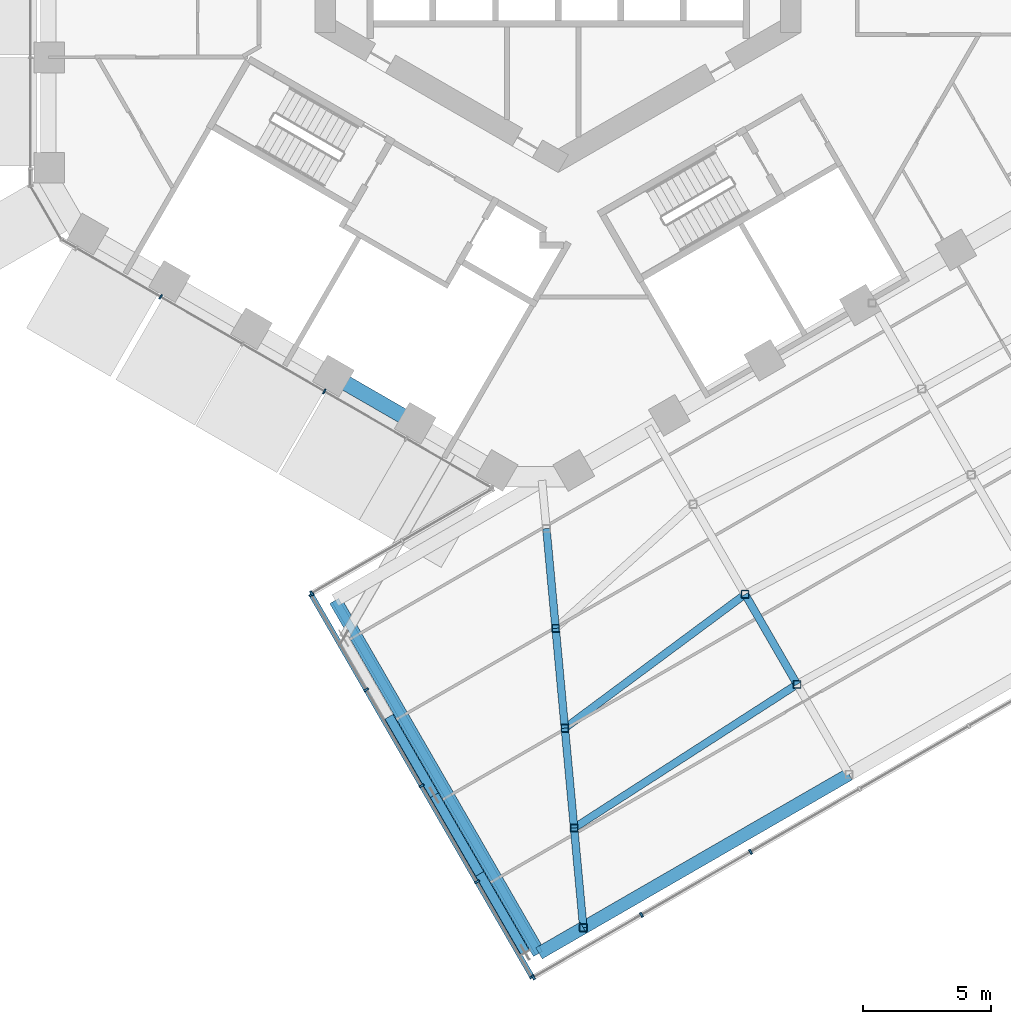
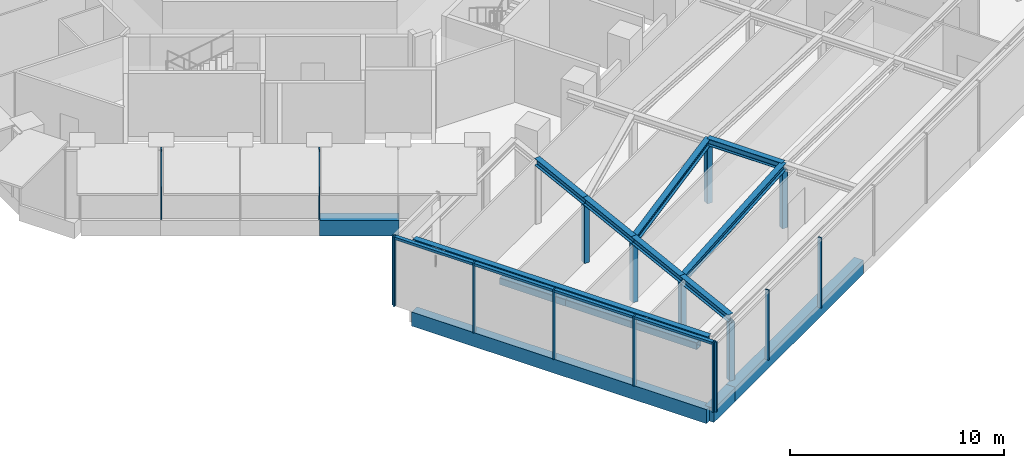
# One storey, part 2 of 28: 21 members, 12 beams, 4 elements without a shape of their own.
"""IFC4 building model written with IfcOpenShell, lengths in metres."""

from ifc_helpers import new_model, si_unit, direction, frame, origin, origin_2d, place, context, subcontext, project, spatial, rectangle, hollow_rectangle, i_section, extrude, material, layer, layer_set, material_profile, profile_set, type_object, element, aggregate, save


model = new_model("IFC4")

# Units and contexts
model_context = context("Model", 3, precision=1e-05, world=origin(), true_north=direction((0.0, 1.0)))
body_context = subcontext(model_context, "Body", "Model", "MODEL_VIEW")
ifc_project = project(units=[si_unit("LENGTHUNIT", "METRE"), si_unit("AREAUNIT", "SQUARE_METRE"), si_unit("VOLUMEUNIT", "CUBIC_METRE"), si_unit("PLANEANGLEUNIT", "RADIAN"), si_unit("MASSUNIT", "GRAM", prefix="KILO")], contexts=[model_context])

# Site, building, storey
site_placement = place(None, origin())
site = spatial("IfcSite", under=ifc_project, at=site_placement, CompositionType="ELEMENT")
building_placement = place(site_placement, origin())
building = spatial("IfcBuilding", under=site, at=building_placement, Name="Ayvan Gate Tower", CompositionType="ELEMENT")
storey_placement = place(building_placement, frame((0.0, 0.0, 74.300048828125)))
storey = spatial("IfcBuildingStorey", under=building, at=storey_placement, Name="L19", CompositionType="ELEMENT", Elevation=74.300048828125)

# Beams
ifc_material_1 = material(Name="Concrete C40/50", Category="concrete")
ifc_material_profile_1 = material_profile(ifc_material_1, rectangle(XDim=0.5, YDim=0.800048828125, at=origin_2d()), Name="RC 500x800")
ifc_profile_set_1 = profile_set([ifc_material_profile_1], Name="Concrete C40/50")
beam_type_1 = type_object("IfcBeamType", Name="Sky bar edge beam RC 500x800 C40/50", PredefinedType="BEAM", material=ifc_profile_set_1)
beam_1_placement = place(storey_placement, frame((11.377685546875, -34.506591796875, -0.800048828125), z_axis=(-0.866026010844, -0.49999894854, 0.0), x_axis=(0.49999894854, -0.866026010844, 0.0)))
element("IfcBeam", 1, at=beam_1_placement, inside=storey, type_object=beam_type_1, Name="EB-B1-L19-6", PredefinedType="BEAM", context=body_context, shape_type="SweptSolid", body=[
    extrude(rectangle(XDim=0.5, YDim=0.800048828125, at=origin_2d()), origin(), (0.0, 0.0, 1.0), 12.0),
])
beam_2_placement = place(storey_placement, frame((0.9853515625, -40.506591796875, -0.800048828125), z_axis=(-0.866041268327, -0.499972520799, 0.0), x_axis=(0.499972520799, -0.866041268327, 0.0)))
element("IfcBeam", 2, at=beam_2_placement, inside=storey, type_object=beam_type_1, Name="EB-B1-L19-7", PredefinedType="BEAM", context=body_context, shape_type="SweptSolid", body=[
    extrude(rectangle(XDim=0.5, YDim=0.800048828125, at=origin_2d()), origin(), (0.0, 0.0, 1.0), 2.0),
])
beam_3_placement = place(storey_placement, frame((-0.746826171875, -41.506591796875, -0.800048828125), z_axis=(-0.499993809181, 0.866028978026, 0.0), x_axis=(-0.866028978026, -0.499993809181, 0.0)))
element("IfcBeam", 3, at=beam_3_placement, inside=storey, type_object=beam_type_1, Name="EB-B1-L19-8", PredefinedType="BEAM", context=body_context, shape_type="SweptSolid", body=[
    extrude(rectangle(XDim=0.5, YDim=0.800048828125, at=origin_2d()), origin(), (0.0, 0.0, 1.0), 15.939697265625),
])
ifc_material_2 = material(Name="Steel S460ML", Category="steel")
ifc_material_profile_2 = material_profile(ifc_material_2, i_section(OverallWidth=0.300048828125, OverallDepth=0.39990234375, WebThickness=0.013427734375, FlangeThickness=0.02392578125, FilletRadius=0.027099609375, at=origin_2d()), Name="HE 400 B")
ifc_profile_set_2 = profile_set([ifc_material_profile_2], Name="Steel S460ML")
beam_type_2 = type_object("IfcBeamType", Name="Sky bar roof beam B1 HE 400 B", PredefinedType="BEAM", material=ifc_profile_set_2)
for number, where, z_axis, x_axis, name in (
    (4, (-0.458984375, -24.894287109375, 3.5), (0.092119300591, -0.995747977381, 0.0), (0.995747977381, 0.092119300591, 0.0), "RB-B1-SBT1-1-2"),
    (5, (-0.097900390625, -28.79736328125, 3.5), (0.092119300591, -0.995747977381, 0.0), (0.995747977381, 0.092119300591, 0.0), "RB-B1-SBT1-1-3"),
    (6, (0.26318359375, -32.700439453125, 3.5), (0.092119300591, -0.995747977381, 0.0), (0.995747977381, 0.092119300591, 0.0), "RB-B1-SBT1-1-4"),
    (7, (0.624267578125, -36.603515625, 3.5), (0.092119300591, -0.995747977381, 0.0), (0.995747977381, 0.092119300591, 0.0), "RB-B1-SBT1-1-5"),
):
    element("IfcBeam", number, at=place(storey_placement, frame(where, z_axis=z_axis, x_axis=x_axis)), inside=storey, type_object=beam_type_2, Name=name, PredefinedType="BEAM", context=body_context, shape_type="SweptSolid", body=[
        extrude(i_section(OverallWidth=0.300048828125, OverallDepth=0.39990234375, WebThickness=0.013427734375, FlangeThickness=0.02392578125, FilletRadius=0.027099609375, at=origin_2d()), origin(), (0.0, 0.0, 1.0), 3.919677734375),
    ])
beam_4_placement = place(storey_placement, frame((7.312744140625, -27.466064453125, 3.5), z_axis=(0.500008399602, -0.866020554218, 0.0), x_axis=(0.866020554218, 0.500008399602, 0.0)))
element("IfcBeam", 8, at=beam_4_placement, inside=storey, type_object=beam_type_2, Name="RB-B1-SBT1-2-3", PredefinedType="BEAM", context=body_context, shape_type="SweptSolid", body=[
    extrude(i_section(OverallWidth=0.300048828125, OverallDepth=0.39990234375, WebThickness=0.013427734375, FlangeThickness=0.02392578125, FilletRadius=0.027099609375, at=origin_2d()), origin(), (0.0, 0.0, 1.0), 4.06494140625),
])
beam_5_placement = place(storey_placement, frame((0.624267578125, -36.603515625, 3.5), z_axis=(0.840701751822, 0.541498443658, 0.0), x_axis=(-0.541498443658, 0.840701751822, 0.0)))
element("IfcBeam", 9, at=beam_5_placement, inside=storey, type_object=beam_type_2, Name="RX-B1-12-2", PredefinedType="BEAM", context=body_context, shape_type="SweptSolid", body=[
    extrude(i_section(OverallWidth=0.300048828125, OverallDepth=0.39990234375, WebThickness=0.013427734375, FlangeThickness=0.02392578125, FilletRadius=0.027099609375, at=origin_2d()), origin(), (0.0, 0.0, 1.0), 10.37353515625),
])
beam_6_placement = place(storey_placement, frame((0.26318359375, -32.700439453125, 3.5), z_axis=(0.802876930473, 0.59614481002, 0.0), x_axis=(-0.59614481002, 0.802876930473, 0.0)))
element("IfcBeam", 10, at=beam_6_placement, inside=storey, type_object=beam_type_2, Name="RX-B1-12-3", PredefinedType="BEAM", context=body_context, shape_type="SweptSolid", body=[
    extrude(i_section(OverallWidth=0.300048828125, OverallDepth=0.39990234375, WebThickness=0.013427734375, FlangeThickness=0.02392578125, FilletRadius=0.027099609375, at=origin_2d()), origin(), (0.0, 0.0, 1.0), 8.7802734375),
])
ifc_material_profile_3 = material_profile(ifc_material_2, i_section(OverallWidth=0.300048828125, OverallDepth=0.340087890625, WebThickness=0.011962890625, FlangeThickness=0.021484375, FilletRadius=0.027099609375, at=origin_2d()), Name="HE 340 B")
ifc_profile_set_3 = profile_set([ifc_material_profile_3], Name="Steel S460ML")
beam_type_3 = type_object("IfcBeamType", Name="Sky bar roof edge beam B1 HE 340 B", PredefinedType="BEAM", material=ifc_profile_set_3)
beam_7_placement = place(storey_placement, frame((-0.746826171875, -41.506591796875, 3.530029296875), z_axis=(-0.499993809181, 0.866028978026, 0.0), x_axis=(-0.866028978026, -0.499993809181, 0.0)))
element("IfcBeam", 11, at=beam_7_placement, inside=storey, type_object=beam_type_3, Name="RE-B1-1-2", PredefinedType="BEAM", context=body_context, shape_type="SweptSolid", body=[
    extrude(i_section(OverallWidth=0.300048828125, OverallDepth=0.340087890625, WebThickness=0.011962890625, FlangeThickness=0.021484375, FilletRadius=0.027099609375, at=origin_2d()), origin(), (0.0, 0.0, 1.0), 15.939697265625),
])

# Members
ifc_material_3 = material(Name="Steel S460NH", Category="steel")
ifc_material_profile_4 = material_profile(ifc_material_3, hollow_rectangle(XDim=0.300048828125, YDim=0.300048828125, WallThickness=0.01611328125, InnerFilletRadius=0.01611328125, OuterFilletRadius=0.02392578125, at=origin_2d()), Name="RHS 300x300x16")
ifc_profile_set_4 = profile_set([ifc_material_profile_4], Name="Steel S460NH")
member_type_1 = type_object("IfcMemberType", Name="Sky bar roof post B1 RHS 300x300x16", PredefinedType="POST", material=ifc_profile_set_4)
for number, where, z_axis, x_axis, name in (
    (12, (-0.097900390625, -28.79736328125, 0.0), (0.0, 0.0, 1.0), (1.0, 0.0, 0.0), "RP-B1-SBT1-1-2"),
    (13, (0.26318359375, -32.700439453125, 0.0), (0.0, 0.0, 1.0), (1.0, 0.0, 0.0), "RP-B1-SBT1-1-3"),
    (14, (0.624267578125, -36.603515625, 0.0), (0.0, 0.0, 1.0), (1.0, 0.0, 0.0), "RP-B1-SBT1-1-4"),
    (15, (0.9853515625, -40.506591796875, 0.0), (0.0, 0.0, 1.0), (1.0, 0.0, 0.0), "RP-B1-SBT1-1-5"),
    (16, (7.312744140625, -27.466064453125, 0.0), (0.0, 0.0, 1.0), (1.0, 0.0, 0.0), "RP-B1-SBT1-2-2"),
    (17, (9.34521484375, -30.986328125, 0.0), (0.0, 0.0, 1.0), (1.0, 0.0, 0.0), "RP-B1-SBT1-2-3"),
):
    element("IfcMember", number, at=place(storey_placement, frame(where, z_axis=z_axis, x_axis=x_axis)), inside=storey, type_object=member_type_1, Name=name, PredefinedType="POST", context=body_context, shape_type="SweptSolid", body=[
        extrude(hollow_rectangle(XDim=0.300048828125, YDim=0.300048828125, WallThickness=0.01611328125, InnerFilletRadius=0.01611328125, OuterFilletRadius=0.02392578125, at=origin_2d()), origin(), (0.0, 0.0, 1.0), 3.300048828125),
    ])
ifc_material_profile_5 = material_profile(ifc_material_3, hollow_rectangle(XDim=0.39990234375, YDim=0.39990234375, WallThickness=0.02001953125, InnerFilletRadius=0.02001953125, OuterFilletRadius=0.030029296875, at=origin_2d()), Name="RHS 400x400x20")
ifc_profile_set_5 = profile_set([ifc_material_profile_5], Name="Steel S460NH")
member_type_2 = type_object("IfcMemberType", Name="Sky bar truss brace B1 RHS 400x400x20", PredefinedType="BRACE", material=ifc_profile_set_5)
member_1_placement = place(storey_placement, frame((-6.61572265625, -32.251220703125, 3.349853515625), z_axis=(0.500000279077, -0.866025242659, 0.0), x_axis=(0.866025242659, 0.500000279077, 0.0)))
element("IfcMember", 18, at=member_1_placement, inside=storey, type_object=member_type_2, Name="SBX1-B-TC-3", PredefinedType="CHORD", context=body_context, shape_type="SweptSolid", body=[
    extrude(hollow_rectangle(XDim=0.39990234375, YDim=0.39990234375, WallThickness=0.02001953125, InnerFilletRadius=0.02001953125, OuterFilletRadius=0.030029296875, at=origin_2d()), origin(), (0.0, 0.0, 1.0), 3.5498046875),
])
for number, where, z_axis, x_axis, name in (
    (19, (-4.8408203125, -35.325439453125, 3.349853515625), (0.500022077904, -0.866012656725, 0.0), (0.866012656725, 0.500022077904, 0.0), "SBX1-B-TC-4"),
    (20, (-3.065673828125, -38.39990234375, 3.349853515625), (0.499970499736, -0.8660424351, 0.0), (0.8660424351, 0.499970499736, 0.0), "SBX1-B-TC-5"),
):
    element("IfcMember", number, at=place(storey_placement, frame(where, z_axis=z_axis, x_axis=x_axis)), inside=storey, type_object=member_type_2, Name=name, PredefinedType="CHORD", context=body_context, shape_type="SweptSolid", body=[
        extrude(hollow_rectangle(XDim=0.39990234375, YDim=0.39990234375, WallThickness=0.02001953125, InnerFilletRadius=0.02001953125, OuterFilletRadius=0.030029296875, at=origin_2d()), origin(), (0.0, 0.0, 1.0), 3.550048828125),
    ])

# Beam
ifc_material_profile_6 = material_profile(ifc_material_1, rectangle(XDim=0.60009765625, YDim=0.89990234375, at=origin_2d()), Name="RC 600x900")
ifc_profile_set_6 = profile_set([ifc_material_profile_6], Name="Concrete C40/50")
beam_type_4 = type_object("IfcBeamType", Name="Spandrel beam RC 600x900 C40/50", PredefinedType="BEAM", material=ifc_profile_set_6)
beam_8_placement = place(storey_placement, frame((-8.78125, -18.93017578125, -0.85009765625), z_axis=(0.866021677438, -0.500006454166, 0.0), x_axis=(0.500006454166, 0.866021677438, 0.0)))
element("IfcBeam", 21, at=beam_8_placement, inside=storey, type_object=beam_type_4, Name="SB-L19-28", PredefinedType="BEAM", context=body_context, shape_type="SweptSolid", body=[
    extrude(rectangle(XDim=0.60009765625, YDim=0.89990234375, at=origin_2d()), origin(), (0.0, 0.0, 1.0), 3.720703125),
])

# Curtain wall, members
ifc_material_4 = material(Name="Bronze anodised aluminium", Category="aluminium")
ifc_layer_1 = layer(ifc_material_4, 0.199951171875)
ifc_layer_set_1 = layer_set([ifc_layer_1], Name="Bronze anodised aluminium")
curtain_wall_type_1 = type_object("IfcCurtainWallType", Name="Stick curtain wall CW-1", PredefinedType="NOTDEFINED", material=ifc_layer_set_1)
curtain_wall_1_placement = place(storey_placement, origin())
curtain_wall_1 = element("IfcCurtainWall", 22, at=curtain_wall_1_placement, inside=storey, type_object=curtain_wall_type_1, Name="Stick curtain wall CW-1 L19", PredefinedType="NOTDEFINED")
ifc_material_profile_7 = material_profile(ifc_material_4, rectangle(XDim=0.199951171875, YDim=0.06005859375, at=origin_2d()), Name="Stick curtain wall CW-1 mullion 200 x 60")
ifc_profile_set_7 = profile_set([ifc_material_profile_7], Name="Bronze anodised aluminium")
member_type_3 = type_object("IfcMemberType", Name="Stick curtain wall CW-1 mullion 200 x 60", PredefinedType="MULLION", material=ifc_profile_set_7)
member_2_placement = place(storey_placement, frame((-15.545654296875, -15.8330078125, 0.0), z_axis=(0.0, 0.0, 1.0), x_axis=(-0.5, -0.866025403784, 0.0)))
member_2 = element("IfcMember", 23, at=member_2_placement, type_object=member_type_3, Name="CW-1 mullion 2", PredefinedType="MULLION", context=body_context, shape_type="SweptSolid", body=[
    extrude(rectangle(XDim=0.199951171875, YDim=0.06005859375, at=origin_2d()), origin(), (0.0, 0.0, 1.0), 4.0),
])
member_3_placement = place(storey_placement, frame((-9.141357421875, -19.530517578125, 0.0), z_axis=(0.0, 0.0, 1.0), x_axis=(-0.5, -0.866025403784, 0.0)))
member_3 = element("IfcMember", 24, at=member_3_placement, type_object=member_type_3, Name="CW-1 mullion 4", PredefinedType="MULLION", context=body_context, shape_type="SweptSolid", body=[
    extrude(rectangle(XDim=0.199951171875, YDim=0.06005859375, at=origin_2d()), origin(), (0.0, 0.0, 1.0), 4.0),
])
aggregate(curtain_wall_1, [member_2, member_3])

ifc_layer_2 = layer(ifc_material_4, 0.199951171875)
ifc_layer_set_2 = layer_set([ifc_layer_2], Name="Bronze anodised aluminium")
curtain_wall_type_2 = type_object("IfcCurtainWallType", Name="Stick curtain wall CW-4", PredefinedType="NOTDEFINED", material=ifc_layer_set_2)
curtain_wall_2_placement = place(storey_placement, origin())
curtain_wall_2 = element("IfcCurtainWall", 25, at=curtain_wall_2_placement, inside=storey, type_object=curtain_wall_type_2, Name="Stick curtain wall CW-4 L19", PredefinedType="NOTDEFINED")
ifc_material_profile_8 = material_profile(ifc_material_4, rectangle(XDim=0.199951171875, YDim=0.080078125, at=origin_2d()), Name="Stick curtain wall CW-4 mullion 200 x 80")
ifc_profile_set_8 = profile_set([ifc_material_profile_8], Name="Bronze anodised aluminium")
member_type_4 = type_object("IfcMemberType", Name="Stick curtain wall CW-4 mullion 200 x 80", PredefinedType="MULLION", material=ifc_profile_set_8)
member_4_placement = place(storey_placement, frame((-9.65283203125, -27.48095703125, 0.0), z_axis=(0.0, 0.0, 1.0), x_axis=(-0.866025403784, -0.5, 0.0)))
member_4 = element("IfcMember", 26, at=member_4_placement, type_object=member_type_4, Name="CW-4 mullion 1", PredefinedType="MULLION", context=body_context, shape_type="SweptSolid", body=[
    extrude(rectangle(XDim=0.199951171875, YDim=0.080078125, at=origin_2d()), origin(), (0.0, 0.0, 1.0), 4.0),
])
member_5_placement = place(storey_placement, frame((-7.50537109375, -31.200439453125, 0.0), z_axis=(0.0, 0.0, 1.0), x_axis=(-0.866025403784, -0.5, 0.0)))
member_5 = element("IfcMember", 27, at=member_5_placement, type_object=member_type_4, Name="CW-4 mullion 2", PredefinedType="MULLION", context=body_context, shape_type="SweptSolid", body=[
    extrude(rectangle(XDim=0.199951171875, YDim=0.080078125, at=origin_2d()), origin(), (0.0, 0.0, 1.0), 4.0),
])
member_6_placement = place(storey_placement, frame((-5.337890625, -34.95458984375, 0.0), z_axis=(0.0, 0.0, 1.0), x_axis=(-0.866025403784, -0.5, 0.0)))
member_6 = element("IfcMember", 28, at=member_6_placement, type_object=member_type_4, Name="CW-4 mullion 3", PredefinedType="MULLION", context=body_context, shape_type="SweptSolid", body=[
    extrude(rectangle(XDim=0.199951171875, YDim=0.080078125, at=origin_2d()), origin(), (0.0, 0.0, 1.0), 4.0),
])
member_7_placement = place(storey_placement, frame((-3.17041015625, -38.708740234375, 0.0), z_axis=(0.0, 0.0, 1.0), x_axis=(-0.866025403784, -0.5, 0.0)))
member_7 = element("IfcMember", 29, at=member_7_placement, type_object=member_type_4, Name="CW-4 mullion 4", PredefinedType="MULLION", context=body_context, shape_type="SweptSolid", body=[
    extrude(rectangle(XDim=0.199951171875, YDim=0.080078125, at=origin_2d()), origin(), (0.0, 0.0, 1.0), 4.0),
])
member_8_placement = place(storey_placement, frame((-1.02294921875, -42.42822265625, 0.0), z_axis=(0.0, 0.0, 1.0), x_axis=(-0.866025403784, -0.5, 0.0)))
member_8 = element("IfcMember", 30, at=member_8_placement, type_object=member_type_4, Name="CW-4 mullion 5", PredefinedType="MULLION", context=body_context, shape_type="SweptSolid", body=[
    extrude(rectangle(XDim=0.199951171875, YDim=0.080078125, at=origin_2d()), origin(), (0.0, 0.0, 1.0), 4.0),
])

curtain_wall_3_placement = place(storey_placement, origin())
curtain_wall_3 = element("IfcCurtainWall", 31, at=curtain_wall_3_placement, inside=storey, type_object=curtain_wall_type_2, Name="Stick curtain wall CW-4 L19", PredefinedType="NOTDEFINED")
member_9_placement = place(storey_placement, frame((-0.96826171875, -42.44287109375, 0.0), z_axis=(0.0, 0.0, 1.0), x_axis=(0.5, -0.866025403784, 0.0)))
member_9 = element("IfcMember", 32, at=member_9_placement, type_object=member_type_4, Name="CW-4 mullion 1", PredefinedType="MULLION", context=body_context, shape_type="SweptSolid", body=[
    extrude(rectangle(XDim=0.199951171875, YDim=0.080078125, at=origin_2d()), origin(), (0.0, 0.0, 1.0), 4.0),
])
member_10_placement = place(storey_placement, frame((3.26220703125, -40.000244140625, 0.0), z_axis=(0.0, 0.0, 1.0), x_axis=(0.5, -0.866025403784, 0.0)))
member_10 = element("IfcMember", 33, at=member_10_placement, type_object=member_type_4, Name="CW-4 mullion 2", PredefinedType="MULLION", context=body_context, shape_type="SweptSolid", body=[
    extrude(rectangle(XDim=0.199951171875, YDim=0.080078125, at=origin_2d()), origin(), (0.0, 0.0, 1.0), 4.0),
])
member_11_placement = place(storey_placement, frame((7.52734375, -37.537841796875, 0.0), z_axis=(0.0, 0.0, 1.0), x_axis=(0.5, -0.866025403784, 0.0)))
member_11 = element("IfcMember", 34, at=member_11_placement, type_object=member_type_4, Name="CW-4 mullion 3", PredefinedType="MULLION", context=body_context, shape_type="SweptSolid", body=[
    extrude(rectangle(XDim=0.199951171875, YDim=0.080078125, at=origin_2d()), origin(), (0.0, 0.0, 1.0), 4.0),
])
aggregate(curtain_wall_3, [member_9, member_10, member_11])

# Curtain wall, member
curtain_wall_4_placement = place(storey_placement, origin())
curtain_wall_4 = element("IfcCurtainWall", 35, at=curtain_wall_4_placement, inside=storey, type_object=curtain_wall_type_2, Name="Stick curtain wall CW-4 L19", PredefinedType="NOTDEFINED")
member_12_placement = place(storey_placement, frame((-9.63818359375, -27.42626953125, 0.0), z_axis=(0.0, 0.0, 1.0), x_axis=(-0.5, 0.866025403784, 0.0)))
member_12 = element("IfcMember", 36, at=member_12_placement, type_object=member_type_4, Name="CW-4 mullion 3", PredefinedType="MULLION", context=body_context, shape_type="SweptSolid", body=[
    extrude(rectangle(XDim=0.199951171875, YDim=0.080078125, at=origin_2d()), origin(), (0.0, 0.0, 1.0), 4.0),
])
aggregate(curtain_wall_4, [member_12])

# Member
ifc_material_profile_9 = material_profile(ifc_material_4, rectangle(XDim=0.199951171875, YDim=0.139892578125, at=origin_2d()), Name="Stick curtain wall CW-4 transom 200 x 140")
ifc_profile_set_9 = profile_set([ifc_material_profile_9], Name="Bronze anodised aluminium")
member_type_5 = type_object("IfcMemberType", Name="Stick curtain wall CW-4 transom 200 x 140", PredefinedType="USERDEFINED", material=ifc_profile_set_9)
member_13_placement = place(storey_placement, frame((-9.65283203125, -27.48095703125, 3.929931640625), z_axis=(0.500003258184, -0.866023522663, 0.0), x_axis=(0.866023522663, 0.500003258184, 0.0)))
member_13 = element("IfcMember", 37, at=member_13_placement, type_object=member_type_5, Name="CW-4 transom 1", ObjectType="TRANSOM", PredefinedType="USERDEFINED", context=body_context, shape_type="SweptSolid", body=[
    extrude(rectangle(XDim=0.199951171875, YDim=0.139892578125, at=origin_2d()), origin(), (0.0, 0.0, 1.0), 17.259765625),
])

aggregate(curtain_wall_2, [member_4, member_5, member_6, member_7, member_8, member_13])

save(model, "model.ifc")
